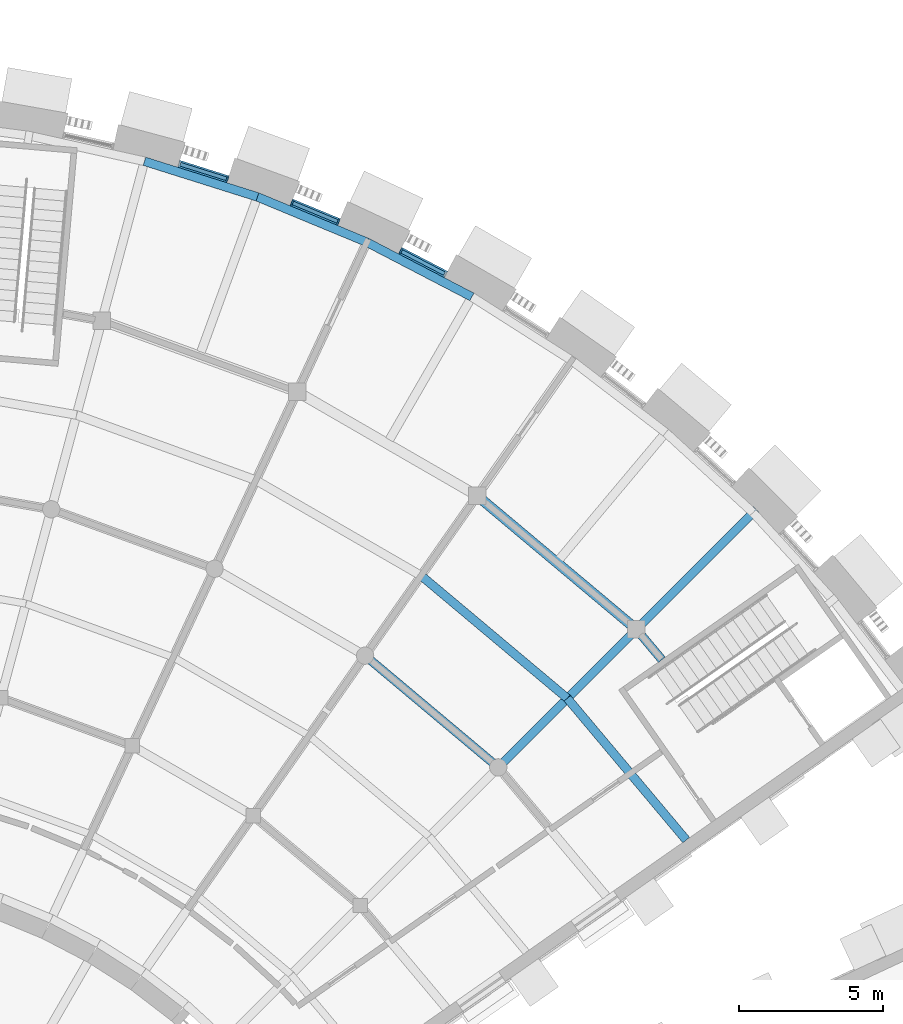
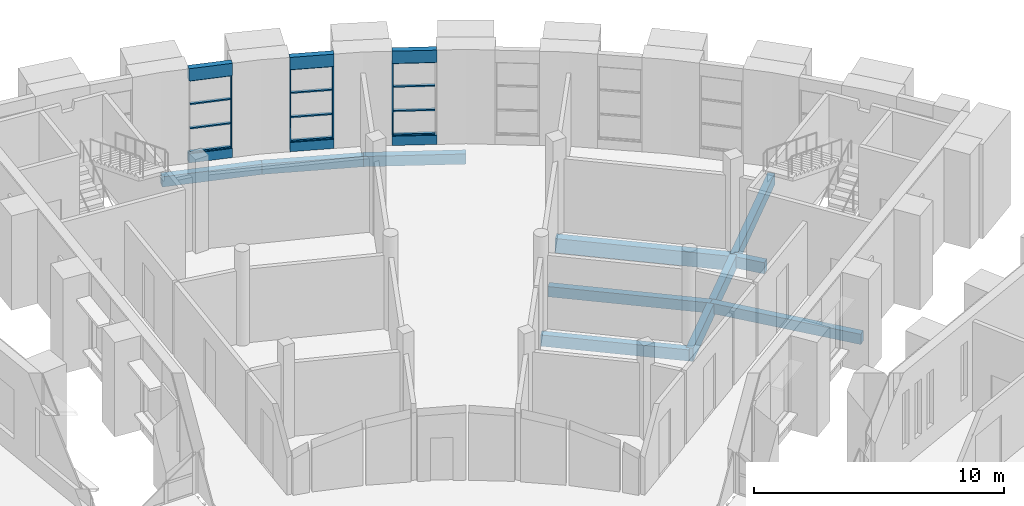
# One storey, part 24 of 66: 16 beams, 16 members, 3 elements without a shape of their own.
"""IFC4 building model written with IfcOpenShell, lengths in metres."""

from ifc_helpers import new_model, si_unit, direction, frame, origin, origin_2d, place, context, subcontext, project, spatial, rectangle, extrude, material, layer, layer_set, material_profile, profile_set, type_object, element, aggregate, save


model = new_model("IFC4")

# Units and contexts
model_context = context("Model", 3, precision=1e-05, world=origin(), true_north=direction((0.0, 1.0)))
body_context = subcontext(model_context, "Body", "Model", "MODEL_VIEW")
ifc_project = project(units=[si_unit("LENGTHUNIT", "METRE"), si_unit("AREAUNIT", "SQUARE_METRE"), si_unit("VOLUMEUNIT", "CUBIC_METRE"), si_unit("PLANEANGLEUNIT", "RADIAN"), si_unit("MASSUNIT", "GRAM", prefix="KILO")], contexts=[model_context])

# Site, building, storey
site_placement = place(None, origin())
site = spatial("IfcSite", under=ifc_project, at=site_placement, CompositionType="ELEMENT")
building_placement = place(site_placement, origin())
building = spatial("IfcBuilding", under=site, at=building_placement, Name="Volute Hill Aquarium", CompositionType="ELEMENT")
storey_placement = place(building_placement, frame((0.0, 0.0, 4.60009765625)))
storey = spatial("IfcBuildingStorey", under=building, at=storey_placement, Name="L02", CompositionType="ELEMENT", Elevation=4.60009765625)

# Beams
ifc_material_1 = material(Name="Concrete C35/45", Category="concrete")
ifc_material_profile_1 = material_profile(ifc_material_1, rectangle(XDim=0.300048828125, YDim=0.550048828125, at=origin_2d()), Name="RC beam 300x550")
ifc_profile_set_1 = profile_set([ifc_material_profile_1], Name="Concrete C35/45")
beam_type_1 = type_object("IfcBeamType", Name="Beam 300x550 C35/45", PredefinedType="BEAM", material=ifc_profile_set_1)
beam_1_placement = place(storey_placement, frame((29.194580078125, 29.194580078125, -0.565185546875), z_axis=(0.707106781187, 0.707106781187, 0.0), x_axis=(-0.707106781187, 0.707106781187, 0.0)))
element("IfcBeam", 1, at=beam_1_placement, inside=storey, type_object=beam_type_1, Name="bm/S5/L02/rad1.4", PredefinedType="BEAM", context=body_context, shape_type="SweptSolid", body=[
    extrude(rectangle(XDim=0.300048828125, YDim=0.550048828125, at=origin_2d()), origin(), (0.0, 0.0, 1.0), 5.862548828125),
])
beam_2_placement = place(storey_placement, frame((24.412841796875, 24.412841796875, -0.565185546875), z_axis=(-0.766038816654, 0.642794314986, 0.0), x_axis=(-0.642794314986, -0.766038816654, 0.0)))
element("IfcBeam", 2, at=beam_2_placement, inside=storey, type_object=beam_type_1, Name="bm/S5/L02/ring2.23", PredefinedType="BEAM", context=body_context, shape_type="SweptSolid", body=[
    extrude(rectangle(XDim=0.300048828125, YDim=0.550048828125, at=origin_2d()), origin(), (0.0, 0.0, 1.0), 6.01806640625),
])
beam_3_placement = place(storey_placement, frame((30.078369140625, 28.1416015625, -0.565185546875), z_axis=(-0.642887994538, 0.765960199017, 0.0), x_axis=(-0.765960199017, -0.642887994538, 0.0)))
element("IfcBeam", 3, at=beam_3_placement, inside=storey, type_object=beam_type_1, Name="bm/S5/L02/ring3.27", PredefinedType="BEAM", context=body_context, shape_type="SweptSolid", body=[
    extrude(rectangle(XDim=0.300048828125, YDim=0.550048828125, at=origin_2d()), origin(), (0.0, 0.0, 1.0), 1.374755859375),
])
ifc_material_2 = material(Name="Concrete C35/45", Category="concrete")
ifc_material_profile_2 = material_profile(ifc_material_2, rectangle(XDim=0.300048828125, YDim=0.64990234375, at=origin_2d()), Name="RC beam 300x650")
ifc_profile_set_2 = profile_set([ifc_material_profile_2], Name="Concrete C35/45")
beam_type_2 = type_object("IfcBeamType", Name="Beam 300x650 C35/45", PredefinedType="BEAM", material=ifc_profile_set_2)
beam_4_placement = place(storey_placement, frame((24.412841796875, 24.412841796875, -0.614990234375), z_axis=(0.707106781187, 0.707106781187, 0.0), x_axis=(-0.707106781187, 0.707106781187, 0.0)))
element("IfcBeam", 4, at=beam_4_placement, inside=storey, type_object=beam_type_2, Name="bm/S5/L02/rad1.3", PredefinedType="BEAM", context=body_context, shape_type="SweptSolid", body=[
    extrude(rectangle(XDim=0.300048828125, YDim=0.64990234375, at=origin_2d()), origin(), (0.0, 0.0, 1.0), 6.762451171875),
])
ifc_material_3 = material(Name="Concrete C35/45", Category="concrete")
ifc_material_profile_3 = material_profile(ifc_material_3, rectangle(XDim=0.35009765625, YDim=0.699951171875, at=origin_2d()), Name="RC beam 350x700")
ifc_profile_set_3 = profile_set([ifc_material_profile_3], Name="Concrete C35/45")
beam_type_3 = type_object("IfcBeamType", Name="Beam 350x700 C35/45", PredefinedType="BEAM", material=ifc_profile_set_3)
beam_5_placement = place(storey_placement, frame((29.194580078125, 29.194580078125, -0.64013671875), z_axis=(-0.766036890911, 0.64279660995, 0.0), x_axis=(-0.64279660995, -0.766036890911, 0.0)))
element("IfcBeam", 5, at=beam_5_placement, inside=storey, type_object=beam_type_3, Name="bm/S5/L02/ring3.28", PredefinedType="BEAM", context=body_context, shape_type="SweptSolid", body=[
    extrude(rectangle(XDim=0.35009765625, YDim=0.699951171875, at=origin_2d()), origin(), (0.0, 0.0, 1.0), 7.197021484375),
])

# Curtain wall, member
ifc_material_4 = material(Name="Aluminium", Category="aluminium")
ifc_layer = layer(ifc_material_4, 0.25)
ifc_layer_set = layer_set([ifc_layer], Name="Curtain wall niche S5 module 1786")
curtain_wall_type = type_object("IfcCurtainWallType", Name="Curtain wall niche S5 module 1786", PredefinedType="NOTDEFINED", material=ifc_layer_set)
curtain_wall_1_placement = place(storey_placement, origin())
curtain_wall_1 = element("IfcCurtainWall", 6, at=curtain_wall_1_placement, inside=storey, type_object=curtain_wall_type, Name="Curtain wall CW S5 L02 6", PredefinedType="NOTDEFINED")
ifc_material_5 = material(Name="Aluminium", Category="aluminium")
ifc_material_profile_4 = material_profile(ifc_material_5, rectangle(XDim=0.159912109375, YDim=0.06005859375, at=origin_2d()), Name="Curtain wall mullion S5 60x160")
ifc_profile_set_4 = profile_set([ifc_material_profile_4], Name="Aluminium")
member_type_1 = type_object("IfcMemberType", Name="Curtain wall mullion S5 60x160", PredefinedType="MULLION", material=ifc_profile_set_4)
member_1_placement = place(storey_placement, frame((21.04296875, 42.291748046875, 0.449951171875), z_axis=(0.0, 0.0, 1.0), x_axis=(-0.461755077763, -0.887007467928, 0.0)))
member_1 = element("IfcMember", 7, at=member_1_placement, type_object=member_type_1, Name="CW mullion 2", PredefinedType="MULLION", context=body_context, shape_type="SweptSolid", body=[
    extrude(rectangle(XDim=0.159912109375, YDim=0.06005859375, at=origin_2d()), origin(), (0.0, 0.0, 1.0), 3.550048828125),
])

# Curtain wall, members
curtain_wall_2_placement = place(storey_placement, origin())
curtain_wall_2 = element("IfcCurtainWall", 8, at=curtain_wall_2_placement, inside=storey, type_object=curtain_wall_type, Name="Curtain wall CW S5 L02 7", PredefinedType="NOTDEFINED")
member_2_placement = place(storey_placement, frame((18.87109375, 43.304443359375, 0.449951171875), z_axis=(0.0, 0.0, 1.0), x_axis=(-0.382686313983, -0.923878338901, 0.0)))
member_2 = element("IfcMember", 9, at=member_2_placement, type_object=member_type_1, Name="CW mullion 1", PredefinedType="MULLION", context=body_context, shape_type="SweptSolid", body=[
    extrude(rectangle(XDim=0.159912109375, YDim=0.06005859375, at=origin_2d()), origin(), (0.0, 0.0, 1.0), 3.550048828125),
])
member_3_placement = place(storey_placement, frame((17.27685546875, 43.96484375, 0.449951171875), z_axis=(0.0, 0.0, 1.0), x_axis=(-0.382686313983, -0.923878338901, 0.0)))
member_3 = element("IfcMember", 10, at=member_3_placement, type_object=member_type_1, Name="CW mullion 2", PredefinedType="MULLION", context=body_context, shape_type="SweptSolid", body=[
    extrude(rectangle(XDim=0.159912109375, YDim=0.06005859375, at=origin_2d()), origin(), (0.0, 0.0, 1.0), 3.550048828125),
])

# Curtain wall, member
curtain_wall_3_placement = place(storey_placement, origin())
curtain_wall_3 = element("IfcCurtainWall", 11, at=curtain_wall_3_placement, inside=storey, type_object=curtain_wall_type, Name="Curtain wall CW S5 L02 8", PredefinedType="NOTDEFINED")
member_4_placement = place(storey_placement, frame((15.025146484375, 44.784423828125, 0.449951171875), z_axis=(0.0, 0.0, 1.0), x_axis=(-0.300703569139, -0.953717653977, 0.0)))
member_4 = element("IfcMember", 12, at=member_4_placement, type_object=member_type_1, Name="CW mullion 1", PredefinedType="MULLION", context=body_context, shape_type="SweptSolid", body=[
    extrude(rectangle(XDim=0.159912109375, YDim=0.06005859375, at=origin_2d()), origin(), (0.0, 0.0, 1.0), 3.550048828125),
])

# Member
ifc_material_6 = material(Name="Aluminium", Category="aluminium")
ifc_material_profile_5 = material_profile(ifc_material_6, rectangle(XDim=0.1298828125, YDim=0.06005859375, at=origin_2d()), Name="Curtain wall transom S5 60x130")
ifc_profile_set_5 = profile_set([ifc_material_profile_5], Name="Aluminium")
member_type_2 = type_object("IfcMemberType", Name="Curtain wall transom S5 60x130", PredefinedType="USERDEFINED", material=ifc_profile_set_5)
member_5_placement = place(storey_placement, frame((22.546875, 41.5087890625, 0.47998046875), z_axis=(-0.887007904622, 0.461754238896, 0.0), x_axis=(-0.461754238896, -0.887007904622, 0.0)))
member_5 = element("IfcMember", 13, at=member_5_placement, type_object=member_type_2, Name="CW transom 1.1", ObjectType="TRANSOM", PredefinedType="USERDEFINED", context=body_context, shape_type="SweptSolid", body=[
    extrude(rectangle(XDim=0.1298828125, YDim=0.06005859375, at=origin_2d()), origin(), (0.0, 0.0, 1.0), 1.66552734375),
])

member_6_placement = place(storey_placement, frame((22.546875, 41.5087890625, 1.63330078125), z_axis=(-0.887007904622, 0.461754238896, 0.0), x_axis=(-0.461754238896, -0.887007904622, 0.0)))
member_6 = element("IfcMember", 14, at=member_6_placement, type_object=member_type_2, Name="CW transom 1.2", ObjectType="TRANSOM", PredefinedType="USERDEFINED", context=body_context, shape_type="SweptSolid", body=[
    extrude(rectangle(XDim=0.1298828125, YDim=0.06005859375, at=origin_2d()), origin(), (0.0, 0.0, 1.0), 1.66552734375),
])

member_7_placement = place(storey_placement, frame((22.546875, 41.5087890625, 2.816650390625), z_axis=(-0.887007904622, 0.461754238896, 0.0), x_axis=(-0.461754238896, -0.887007904622, 0.0)))
member_7 = element("IfcMember", 15, at=member_7_placement, type_object=member_type_2, Name="CW transom 1.3", ObjectType="TRANSOM", PredefinedType="USERDEFINED", context=body_context, shape_type="SweptSolid", body=[
    extrude(rectangle(XDim=0.1298828125, YDim=0.06005859375, at=origin_2d()), origin(), (0.0, 0.0, 1.0), 1.66552734375),
])

member_8_placement = place(storey_placement, frame((22.546875, 41.5087890625, 3.969970703125), z_axis=(-0.887007904622, 0.461754238896, 0.0), x_axis=(-0.461754238896, -0.887007904622, 0.0)))
member_8 = element("IfcMember", 16, at=member_8_placement, type_object=member_type_2, Name="CW transom 1.4", ObjectType="TRANSOM", PredefinedType="USERDEFINED", context=body_context, shape_type="SweptSolid", body=[
    extrude(rectangle(XDim=0.1298828125, YDim=0.06005859375, at=origin_2d()), origin(), (0.0, 0.0, 1.0), 1.66552734375),
])

aggregate(curtain_wall_1, [member_1, member_5, member_6, member_7, member_8])

member_9_placement = place(storey_placement, frame((18.843505859375, 43.31591796875, 0.47998046875), z_axis=(-0.923868550107, 0.382709945158, 0.0), x_axis=(-0.382709945158, -0.923868550107, 0.0)))
member_9 = element("IfcMember", 17, at=member_9_placement, type_object=member_type_2, Name="CW transom 1.1", ObjectType="TRANSOM", PredefinedType="USERDEFINED", context=body_context, shape_type="SweptSolid", body=[
    extrude(rectangle(XDim=0.1298828125, YDim=0.06005859375, at=origin_2d()), origin(), (0.0, 0.0, 1.0), 1.66552734375),
])

member_10_placement = place(storey_placement, frame((18.843505859375, 43.31591796875, 1.63330078125), z_axis=(-0.923868550107, 0.382709945158, 0.0), x_axis=(-0.382709945158, -0.923868550107, 0.0)))
member_10 = element("IfcMember", 18, at=member_10_placement, type_object=member_type_2, Name="CW transom 1.2", ObjectType="TRANSOM", PredefinedType="USERDEFINED", context=body_context, shape_type="SweptSolid", body=[
    extrude(rectangle(XDim=0.1298828125, YDim=0.06005859375, at=origin_2d()), origin(), (0.0, 0.0, 1.0), 1.66552734375),
])

member_11_placement = place(storey_placement, frame((18.843505859375, 43.31591796875, 2.816650390625), z_axis=(-0.923868550107, 0.382709945158, 0.0), x_axis=(-0.382709945158, -0.923868550107, 0.0)))
member_11 = element("IfcMember", 19, at=member_11_placement, type_object=member_type_2, Name="CW transom 1.3", ObjectType="TRANSOM", PredefinedType="USERDEFINED", context=body_context, shape_type="SweptSolid", body=[
    extrude(rectangle(XDim=0.1298828125, YDim=0.06005859375, at=origin_2d()), origin(), (0.0, 0.0, 1.0), 1.66552734375),
])

member_12_placement = place(storey_placement, frame((18.843505859375, 43.31591796875, 3.969970703125), z_axis=(-0.923868550107, 0.382709945158, 0.0), x_axis=(-0.382709945158, -0.923868550107, 0.0)))
member_12 = element("IfcMember", 20, at=member_12_placement, type_object=member_type_2, Name="CW transom 1.4", ObjectType="TRANSOM", PredefinedType="USERDEFINED", context=body_context, shape_type="SweptSolid", body=[
    extrude(rectangle(XDim=0.1298828125, YDim=0.06005859375, at=origin_2d()), origin(), (0.0, 0.0, 1.0), 1.66552734375),
])

aggregate(curtain_wall_2, [member_2, member_3, member_9, member_10, member_11, member_12])

member_13_placement = place(storey_placement, frame((14.99658203125, 44.79345703125, 0.47998046875), z_axis=(-0.953744236838, 0.30061924539, 0.0), x_axis=(-0.30061924539, -0.953744236838, 0.0)))
member_13 = element("IfcMember", 21, at=member_13_placement, type_object=member_type_2, Name="CW transom 1.1", ObjectType="TRANSOM", PredefinedType="USERDEFINED", context=body_context, shape_type="SweptSolid", body=[
    extrude(rectangle(XDim=0.1298828125, YDim=0.06005859375, at=origin_2d()), origin(), (0.0, 0.0, 1.0), 1.665771484375),
])

member_14_placement = place(storey_placement, frame((14.99658203125, 44.79345703125, 1.63330078125), z_axis=(-0.953744236838, 0.30061924539, 0.0), x_axis=(-0.30061924539, -0.953744236838, 0.0)))
member_14 = element("IfcMember", 22, at=member_14_placement, type_object=member_type_2, Name="CW transom 1.2", ObjectType="TRANSOM", PredefinedType="USERDEFINED", context=body_context, shape_type="SweptSolid", body=[
    extrude(rectangle(XDim=0.1298828125, YDim=0.06005859375, at=origin_2d()), origin(), (0.0, 0.0, 1.0), 1.665771484375),
])

member_15_placement = place(storey_placement, frame((14.99658203125, 44.79345703125, 2.816650390625), z_axis=(-0.953744236838, 0.30061924539, 0.0), x_axis=(-0.30061924539, -0.953744236838, 0.0)))
member_15 = element("IfcMember", 23, at=member_15_placement, type_object=member_type_2, Name="CW transom 1.3", ObjectType="TRANSOM", PredefinedType="USERDEFINED", context=body_context, shape_type="SweptSolid", body=[
    extrude(rectangle(XDim=0.1298828125, YDim=0.06005859375, at=origin_2d()), origin(), (0.0, 0.0, 1.0), 1.665771484375),
])

member_16_placement = place(storey_placement, frame((14.99658203125, 44.79345703125, 3.969970703125), z_axis=(-0.953744236838, 0.30061924539, 0.0), x_axis=(-0.30061924539, -0.953744236838, 0.0)))
member_16 = element("IfcMember", 24, at=member_16_placement, type_object=member_type_2, Name="CW transom 1.4", ObjectType="TRANSOM", PredefinedType="USERDEFINED", context=body_context, shape_type="SweptSolid", body=[
    extrude(rectangle(XDim=0.1298828125, YDim=0.06005859375, at=origin_2d()), origin(), (0.0, 0.0, 1.0), 1.665771484375),
])

aggregate(curtain_wall_3, [member_4, member_13, member_14, member_15, member_16])

# Beams
ifc_material_7 = material(Name="Concrete C35/45", Category="concrete")
ifc_material_profile_6 = material_profile(ifc_material_7, rectangle(XDim=0.300048828125, YDim=0.5, at=origin_2d()), Name="RC edge beam 300x500")
ifc_profile_set_6 = profile_set([ifc_material_profile_6], Name="Concrete C35/45")
beam_type_4 = type_object("IfcBeamType", Name="Edge beam 300x500 C35/45", PredefinedType="BEAM", material=ifc_profile_set_6)
for number, where, z_axis, x_axis, name in (
    (25, (23.5, 40.703125, -0.5400390625), (-0.887032472898, 0.461707041341, 0.0), (-0.461707041341, -0.887032472898, 0.0), "bm/S5/L02/edgeO.47"),
    (26, (19.863037109375, 42.59619140625, -0.5400390625), (-0.923878219582, 0.38268660204, 0.0), (-0.38268660204, -0.923878219582, 0.0), "bm/S5/L02/edgeO.48"),
):
    element("IfcBeam", number, at=place(storey_placement, frame(where, z_axis=z_axis, x_axis=x_axis)), inside=storey, type_object=beam_type_4, Name=name, PredefinedType="BEAM", context=body_context, shape_type="SweptSolid", body=[
        extrude(rectangle(XDim=0.300048828125, YDim=0.5, at=origin_2d()), origin(), (0.0, 0.0, 1.0), 4.10009765625),
    ])
beam_6_placement = place(storey_placement, frame((16.074951171875, 44.165283203125, -0.5400390625), z_axis=(-0.953702276001, 0.300752337896, 0.0), x_axis=(-0.300752337896, -0.953702276001, 0.0)))
element("IfcBeam", 27, at=beam_6_placement, inside=storey, type_object=beam_type_4, Name="bm/S5/L02/edgeO.49", PredefinedType="BEAM", context=body_context, shape_type="SweptSolid", body=[
    extrude(rectangle(XDim=0.300048828125, YDim=0.5, at=origin_2d()), origin(), (0.0, 0.0, 1.0), 4.100341796875),
])
ifc_material_8 = material(Name="Concrete C35/45", Category="concrete")
ifc_material_profile_7 = material_profile(ifc_material_8, rectangle(XDim=0.300048828125, YDim=0.5, at=origin_2d()), Name="RC joist 300x500")
ifc_profile_set_7 = profile_set([ifc_material_profile_7], Name="Concrete C35/45")
beam_type_5 = type_object("IfcBeamType", Name="Joist 300x500 C35/45", PredefinedType="BEAM", material=ifc_profile_set_7)
beam_7_placement = place(storey_placement, frame((30.921875, 21.89599609375, -0.5400390625), z_axis=(-0.642796984266, 0.766036576815, 0.0), x_axis=(-0.766036576815, -0.642796984266, 0.0)))
element("IfcBeam", 28, at=beam_7_placement, inside=storey, type_object=beam_type_5, Name="bm/S5/L02/jst11", PredefinedType="BEAM", context=body_context, shape_type="SweptSolid", body=[
    extrude(rectangle(XDim=0.300048828125, YDim=0.5, at=origin_2d()), origin(), (0.0, 0.0, 1.0), 6.40673828125),
])
beam_8_placement = place(storey_placement, frame((26.8037109375, 26.8037109375, -0.5400390625), z_axis=(-0.766030134391, 0.642804661779, 0.0), x_axis=(-0.642804661779, -0.766030134391, 0.0)))
element("IfcBeam", 29, at=beam_8_placement, inside=storey, type_object=beam_type_5, Name="bm/S5/L02/jst12", PredefinedType="BEAM", context=body_context, shape_type="SweptSolid", body=[
    extrude(rectangle(XDim=0.300048828125, YDim=0.5, at=origin_2d()), origin(), (0.0, 0.0, 1.0), 6.607421875),
])
ifc_material_9 = material(Name="Concrete C35/45", Category="concrete")
ifc_material_profile_8 = material_profile(ifc_material_9, rectangle(XDim=0.25, YDim=0.60009765625, at=origin_2d()), Name="RC beam 250x600")
ifc_profile_set_8 = profile_set([ifc_material_profile_8], Name="Concrete C35/45")
beam_type_6 = type_object("IfcBeamType", Name="Niche head beam RC 250x600 C35/45", PredefinedType="BEAM", material=ifc_profile_set_8)
beam_9_placement = place(storey_placement, frame((22.60009765625, 41.48095703125, 4.2998046875), z_axis=(-0.887006266415, 0.4617573858, 0.0), x_axis=(-0.4617573858, -0.887006266415, 0.0)))
element("IfcBeam", 30, at=beam_9_placement, inside=storey, type_object=beam_type_6, Name="Niche head beam OWB S5 L02 6", PredefinedType="BEAM", context=body_context, shape_type="SweptSolid", body=[
    extrude(rectangle(XDim=0.25, YDim=0.60009765625, at=origin_2d()), origin(), (0.0, 0.0, 1.0), 1.785400390625),
])
beam_10_placement = place(storey_placement, frame((18.89892578125, 43.29296875, 4.2998046875), z_axis=(-0.923891869651, 0.382653646516, 0.0), x_axis=(-0.382653646516, -0.923891869651, 0.0)))
element("IfcBeam", 31, at=beam_10_placement, inside=storey, type_object=beam_type_6, Name="Niche head beam OWB S5 L02 7", PredefinedType="BEAM", context=body_context, shape_type="SweptSolid", body=[
    extrude(rectangle(XDim=0.25, YDim=0.60009765625, at=origin_2d()), origin(), (0.0, 0.0, 1.0), 1.785888671875),
])
beam_11_placement = place(storey_placement, frame((15.0537109375, 44.775390625, 4.2998046875), z_axis=(-0.95372514816, 0.300679799399, 0.0), x_axis=(-0.300679799399, -0.95372514816, 0.0)))
element("IfcBeam", 32, at=beam_11_placement, inside=storey, type_object=beam_type_6, Name="Niche head beam OWB S5 L02 8", PredefinedType="BEAM", context=body_context, shape_type="SweptSolid", body=[
    extrude(rectangle(XDim=0.25, YDim=0.60009765625, at=origin_2d()), origin(), (0.0, 0.0, 1.0), 1.785400390625),
])
ifc_material_10 = material(Name="Concrete C35/45", Category="concrete")
ifc_material_profile_9 = material_profile(ifc_material_10, rectangle(XDim=0.25, YDim=0.449951171875, at=origin_2d()), Name="RC beam 250x450")
ifc_profile_set_9 = profile_set([ifc_material_profile_9], Name="Concrete C35/45")
beam_type_7 = type_object("IfcBeamType", Name="Niche sill beam RC 250x450 C35/45", PredefinedType="BEAM", material=ifc_profile_set_9)
beam_12_placement = place(storey_placement, frame((22.60009765625, 41.48095703125, 0.224853515625), z_axis=(-0.887006266415, 0.4617573858, 0.0), x_axis=(-0.4617573858, -0.887006266415, 0.0)))
element("IfcBeam", 33, at=beam_12_placement, inside=storey, type_object=beam_type_7, Name="Niche sill beam OWB S5 L02 6", PredefinedType="BEAM", context=body_context, shape_type="SweptSolid", body=[
    extrude(rectangle(XDim=0.25, YDim=0.449951171875, at=origin_2d()), origin(), (0.0, 0.0, 1.0), 1.785400390625),
])
beam_13_placement = place(storey_placement, frame((18.89892578125, 43.29296875, 0.224853515625), z_axis=(-0.923891869651, 0.382653646516, 0.0), x_axis=(-0.382653646516, -0.923891869651, 0.0)))
element("IfcBeam", 34, at=beam_13_placement, inside=storey, type_object=beam_type_7, Name="Niche sill beam OWB S5 L02 7", PredefinedType="BEAM", context=body_context, shape_type="SweptSolid", body=[
    extrude(rectangle(XDim=0.25, YDim=0.449951171875, at=origin_2d()), origin(), (0.0, 0.0, 1.0), 1.785888671875),
])
beam_14_placement = place(storey_placement, frame((15.0537109375, 44.775390625, 0.224853515625), z_axis=(-0.95372514816, 0.300679799399, 0.0), x_axis=(-0.300679799399, -0.95372514816, 0.0)))
element("IfcBeam", 35, at=beam_14_placement, inside=storey, type_object=beam_type_7, Name="Niche sill beam OWB S5 L02 8", PredefinedType="BEAM", context=body_context, shape_type="SweptSolid", body=[
    extrude(rectangle(XDim=0.25, YDim=0.449951171875, at=origin_2d()), origin(), (0.0, 0.0, 1.0), 1.785400390625),
])

save(model, "model.ifc")
